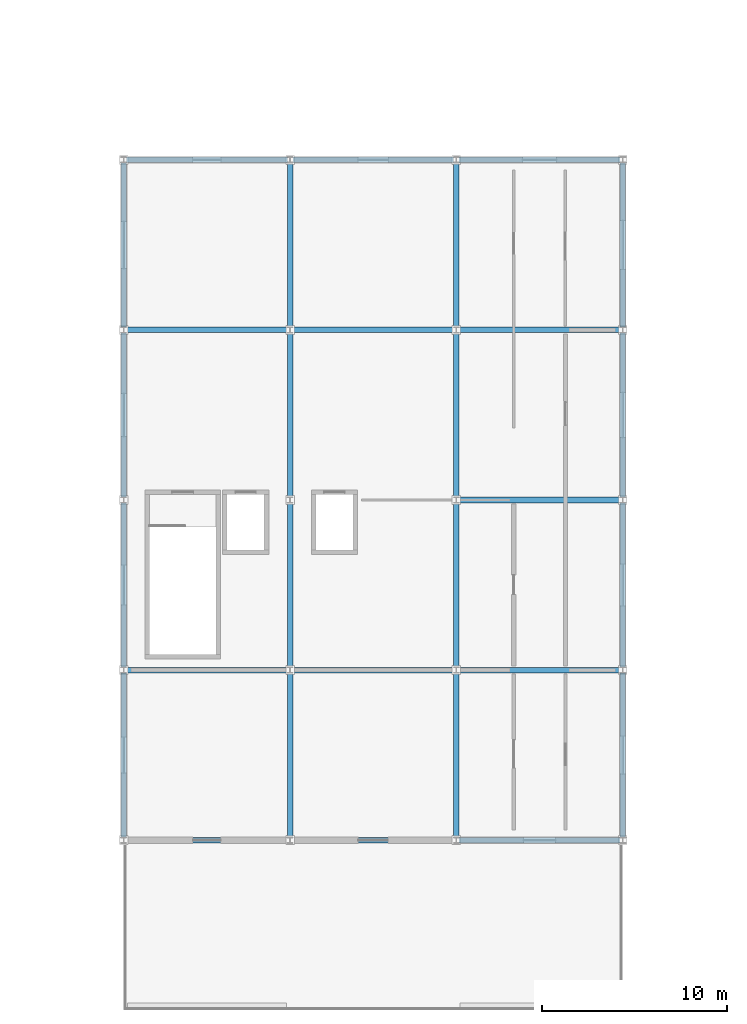
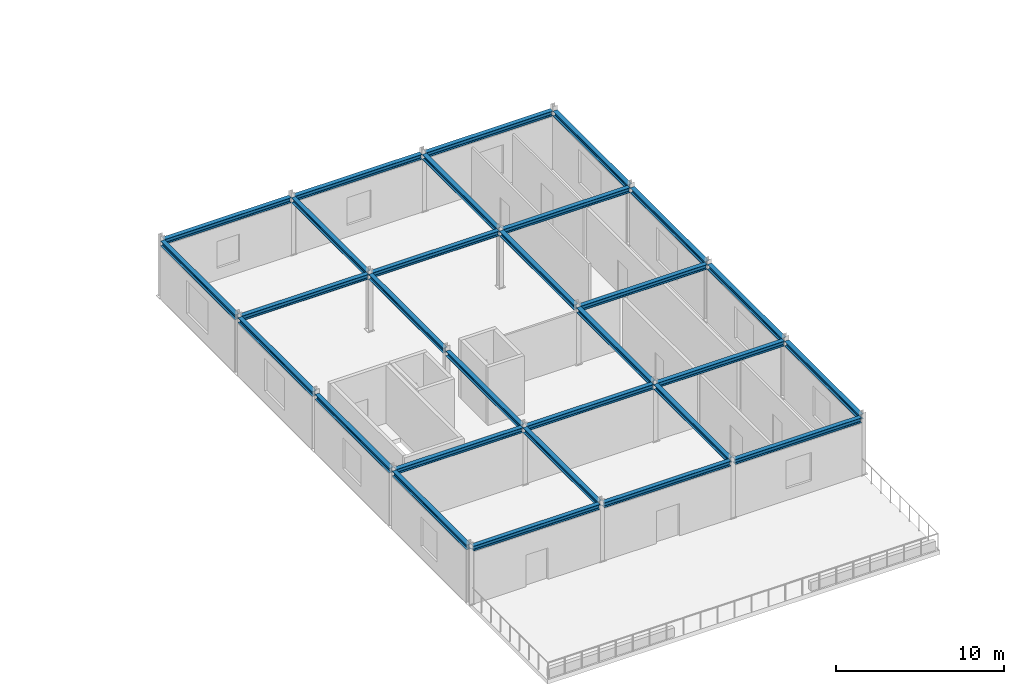
# One storey, part 10 of 33: 29 beams.
"""IFC4 building model written with IfcOpenShell, lengths in metres."""

from ifc_helpers import new_model, si_unit, direction, frame, origin, origin_2d, place, context, subcontext, project, spatial, i_section, extrude, material, material_profile, profile_set, type_object, element, save


model = new_model("IFC4")

# Units and contexts
model_context = context("Model", 3, precision=1e-05, world=origin(), true_north=direction((0.0, 1.0)))
body_context = subcontext(model_context, "Body", "Model", "MODEL_VIEW")
ifc_project = project(units=[si_unit("LENGTHUNIT", "METRE"), si_unit("AREAUNIT", "SQUARE_METRE"), si_unit("VOLUMEUNIT", "CUBIC_METRE"), si_unit("PLANEANGLEUNIT", "RADIAN"), si_unit("MASSUNIT", "GRAM", prefix="KILO")], contexts=[model_context])

# Site, building, storey
site_placement = place(None, origin())
site = spatial("IfcSite", under=ifc_project, at=site_placement, CompositionType="ELEMENT")
building_placement = place(site_placement, origin())
building = spatial("IfcBuilding", under=site, at=building_placement, Name="Bozkorgan Art Gallery", CompositionType="ELEMENT")
storey_placement = place(building_placement, frame((0.0, 0.0, 19.5)))
storey = spatial("IfcBuildingStorey", under=building, at=storey_placement, Name="L04", CompositionType="ELEMENT", Elevation=19.5)

# Beams
ifc_material = material(Name="Steel S355J2", Category="steel")
ifc_material_profile = material_profile(ifc_material, i_section(OverallWidth=0.300048828125, OverallDepth=0.360107421875, WebThickness=0.012451171875, FlangeThickness=0.0224609375, FilletRadius=0.027099609375, at=origin_2d()), Name="HEB 360")
ifc_profile_set = profile_set([ifc_material_profile], Name="Steel S355J2")
beam_type = type_object("IfcBeamType", Name="BEAM-BM-94", PredefinedType="BEAM", material=ifc_profile_set)
for number, where, z_axis, x_axis, name in (
    (1, (74.14990234375, 47.60009765625, 4.0), (1.0, 0.0, 0.0), (0.0, 1.0, 0.0), "V4 L04 beam X (74-83, 47.6)"),
    (2, (83.14990234375, 47.60009765625, 4.0), (1.0, 0.0, 0.0), (0.0, 1.0, 0.0), "V4 L04 beam X (83-92, 47.6)"),
    (3, (92.14990234375, 47.60009765625, 4.0), (1.0, 0.0, 0.0), (0.0, 1.0, 0.0), "V4 L04 beam X (92-101, 47.6)"),
    (4, (74.14990234375, 56.800048828125, 4.0), (1.0, 0.0, 0.0), (0.0, 1.0, 0.0), "V4 L04 beam X (74-83, 56.8)"),
    (5, (83.14990234375, 56.800048828125, 4.0), (1.0, 0.0, 0.0), (0.0, 1.0, 0.0), "V4 L04 beam X (83-92, 56.8)"),
    (6, (92.14990234375, 56.800048828125, 4.0), (1.0, 0.0, 0.0), (0.0, 1.0, 0.0), "V4 L04 beam X (92-101, 56.8)"),
    (7, (92.14990234375, 66.0, 4.0), (1.0, 0.0, 0.0), (0.0, 1.0, 0.0), "V4 L04 beam X (92-101, 66.0)"),
    (8, (74.14990234375, 75.199951171875, 4.0), (1.0, 0.0, 0.0), (0.0, 1.0, 0.0), "V4 L04 beam X (74-83, 75.2)"),
    (9, (83.14990234375, 75.199951171875, 4.0), (1.0, 0.0, 0.0), (0.0, 1.0, 0.0), "V4 L04 beam X (83-92, 75.2)"),
    (10, (92.14990234375, 75.199951171875, 4.0), (1.0, 0.0, 0.0), (0.0, 1.0, 0.0), "V4 L04 beam X (92-101, 75.2)"),
    (11, (74.14990234375, 84.39990234375, 4.0), (1.0, 0.0, 0.0), (0.0, 1.0, 0.0), "V4 L04 beam X (74-83, 84.4)"),
    (12, (83.14990234375, 84.39990234375, 4.0), (1.0, 0.0, 0.0), (0.0, 1.0, 0.0), "V4 L04 beam X (83-92, 84.4)"),
    (13, (92.14990234375, 84.39990234375, 4.0), (1.0, 0.0, 0.0), (0.0, 1.0, 0.0), "V4 L04 beam X (92-101, 84.4)"),
):
    element("IfcBeam", number, at=place(storey_placement, frame(where, z_axis=z_axis, x_axis=x_axis)), inside=storey, type_object=beam_type, Name=name, PredefinedType="BEAM", context=body_context, shape_type="SweptSolid", body=[
        extrude(i_section(OverallWidth=0.300048828125, OverallDepth=0.360107421875, WebThickness=0.012451171875, FlangeThickness=0.0224609375, FilletRadius=0.027099609375, at=origin_2d()), origin(), (0.0, 0.0, 1.0), 8.7001953125),
    ])
beam_1_placement = place(storey_placement, frame((74.0, 47.760009765625, 4.0), z_axis=(0.0, 1.0, 0.0), x_axis=(-1.0, 0.0, 0.0)))
element("IfcBeam", 14, at=beam_1_placement, inside=storey, type_object=beam_type, Name="V4 L04 beam Y (74, 47.6-56.8)", PredefinedType="BEAM", context=body_context, shape_type="SweptSolid", body=[
    extrude(i_section(OverallWidth=0.300048828125, OverallDepth=0.360107421875, WebThickness=0.012451171875, FlangeThickness=0.0224609375, FilletRadius=0.027099609375, at=origin_2d()), origin(), (0.0, 0.0, 1.0), 8.8798828125),
])
for number, where, z_axis, x_axis, name in (
    (15, (74.0, 56.9599609375, 4.0), (0.0, 1.0, 0.0), (-1.0, 0.0, 0.0), "V4 L04 beam Y (74, 56.8-66.0)"),
    (16, (74.0, 66.159912109375, 4.0), (0.0, 1.0, 0.0), (-1.0, 0.0, 0.0), "V4 L04 beam Y (74, 66.0-75.2)"),
):
    element("IfcBeam", number, at=place(storey_placement, frame(where, z_axis=z_axis, x_axis=x_axis)), inside=storey, type_object=beam_type, Name=name, PredefinedType="BEAM", context=body_context, shape_type="SweptSolid", body=[
        extrude(i_section(OverallWidth=0.300048828125, OverallDepth=0.360107421875, WebThickness=0.012451171875, FlangeThickness=0.0224609375, FilletRadius=0.027099609375, at=origin_2d()), origin(), (0.0, 0.0, 1.0), 8.880126953125),
    ])
beam_2_placement = place(storey_placement, frame((74.0, 75.360107421875, 4.0), z_axis=(0.0, 1.0, 0.0), x_axis=(-1.0, 0.0, 0.0)))
element("IfcBeam", 17, at=beam_2_placement, inside=storey, type_object=beam_type, Name="V4 L04 beam Y (74, 75.2-84.4)", PredefinedType="BEAM", context=body_context, shape_type="SweptSolid", body=[
    extrude(i_section(OverallWidth=0.300048828125, OverallDepth=0.360107421875, WebThickness=0.012451171875, FlangeThickness=0.0224609375, FilletRadius=0.027099609375, at=origin_2d()), origin(), (0.0, 0.0, 1.0), 8.8798828125),
])
beam_3_placement = place(storey_placement, frame((83.0, 47.760009765625, 4.0), z_axis=(0.0, 1.0, 0.0), x_axis=(-1.0, 0.0, 0.0)))
element("IfcBeam", 18, at=beam_3_placement, inside=storey, type_object=beam_type, Name="V4 L04 beam Y (83, 47.6-56.8)", PredefinedType="BEAM", context=body_context, shape_type="SweptSolid", body=[
    extrude(i_section(OverallWidth=0.300048828125, OverallDepth=0.360107421875, WebThickness=0.012451171875, FlangeThickness=0.0224609375, FilletRadius=0.027099609375, at=origin_2d()), origin(), (0.0, 0.0, 1.0), 8.885009765625),
])
for number, where, z_axis, x_axis, name in (
    (19, (83.0, 56.955078125, 4.0), (0.0, 1.0, 0.0), (-1.0, 0.0, 0.0), "V4 L04 beam Y (83, 56.8-66.0)"),
    (20, (83.0, 66.155029296875, 4.0), (0.0, 1.0, 0.0), (-1.0, 0.0, 0.0), "V4 L04 beam Y (83, 66.0-75.2)"),
):
    element("IfcBeam", number, at=place(storey_placement, frame(where, z_axis=z_axis, x_axis=x_axis)), inside=storey, type_object=beam_type, Name=name, PredefinedType="BEAM", context=body_context, shape_type="SweptSolid", body=[
        extrude(i_section(OverallWidth=0.300048828125, OverallDepth=0.360107421875, WebThickness=0.012451171875, FlangeThickness=0.0224609375, FilletRadius=0.027099609375, at=origin_2d()), origin(), (0.0, 0.0, 1.0), 8.889892578125),
    ])
for number, where, z_axis, x_axis, name in (
    (21, (83.0, 75.35498046875, 4.0), (0.0, 1.0, 0.0), (-1.0, 0.0, 0.0), "V4 L04 beam Y (83, 75.2-84.4)"),
    (22, (92.0, 47.760009765625, 4.0), (0.0, 1.0, 0.0), (-1.0, 0.0, 0.0), "V4 L04 beam Y (92, 47.6-56.8)"),
):
    element("IfcBeam", number, at=place(storey_placement, frame(where, z_axis=z_axis, x_axis=x_axis)), inside=storey, type_object=beam_type, Name=name, PredefinedType="BEAM", context=body_context, shape_type="SweptSolid", body=[
        extrude(i_section(OverallWidth=0.300048828125, OverallDepth=0.360107421875, WebThickness=0.012451171875, FlangeThickness=0.0224609375, FilletRadius=0.027099609375, at=origin_2d()), origin(), (0.0, 0.0, 1.0), 8.885009765625),
    ])
for number, where, z_axis, x_axis, name in (
    (23, (92.0, 56.955078125, 4.0), (0.0, 1.0, 0.0), (-1.0, 0.0, 0.0), "V4 L04 beam Y (92, 56.8-66.0)"),
    (24, (92.0, 66.155029296875, 4.0), (0.0, 1.0, 0.0), (-1.0, 0.0, 0.0), "V4 L04 beam Y (92, 66.0-75.2)"),
):
    element("IfcBeam", number, at=place(storey_placement, frame(where, z_axis=z_axis, x_axis=x_axis)), inside=storey, type_object=beam_type, Name=name, PredefinedType="BEAM", context=body_context, shape_type="SweptSolid", body=[
        extrude(i_section(OverallWidth=0.300048828125, OverallDepth=0.360107421875, WebThickness=0.012451171875, FlangeThickness=0.0224609375, FilletRadius=0.027099609375, at=origin_2d()), origin(), (0.0, 0.0, 1.0), 8.889892578125),
    ])
beam_4_placement = place(storey_placement, frame((92.0, 75.35498046875, 4.0), z_axis=(0.0, 1.0, 0.0), x_axis=(-1.0, 0.0, 0.0)))
element("IfcBeam", 25, at=beam_4_placement, inside=storey, type_object=beam_type, Name="V4 L04 beam Y (92, 75.2-84.4)", PredefinedType="BEAM", context=body_context, shape_type="SweptSolid", body=[
    extrude(i_section(OverallWidth=0.300048828125, OverallDepth=0.360107421875, WebThickness=0.012451171875, FlangeThickness=0.0224609375, FilletRadius=0.027099609375, at=origin_2d()), origin(), (0.0, 0.0, 1.0), 8.885009765625),
])
beam_5_placement = place(storey_placement, frame((101.0, 47.760009765625, 4.0), z_axis=(0.0, 1.0, 0.0), x_axis=(-1.0, 0.0, 0.0)))
element("IfcBeam", 26, at=beam_5_placement, inside=storey, type_object=beam_type, Name="V4 L04 beam Y (101, 47.6-56.8)", PredefinedType="BEAM", context=body_context, shape_type="SweptSolid", body=[
    extrude(i_section(OverallWidth=0.300048828125, OverallDepth=0.360107421875, WebThickness=0.012451171875, FlangeThickness=0.0224609375, FilletRadius=0.027099609375, at=origin_2d()), origin(), (0.0, 0.0, 1.0), 8.8798828125),
])
for number, where, z_axis, x_axis, name in (
    (27, (101.0, 56.9599609375, 4.0), (0.0, 1.0, 0.0), (-1.0, 0.0, 0.0), "V4 L04 beam Y (101, 56.8-66.0)"),
    (28, (101.0, 66.159912109375, 4.0), (0.0, 1.0, 0.0), (-1.0, 0.0, 0.0), "V4 L04 beam Y (101, 66.0-75.2)"),
):
    element("IfcBeam", number, at=place(storey_placement, frame(where, z_axis=z_axis, x_axis=x_axis)), inside=storey, type_object=beam_type, Name=name, PredefinedType="BEAM", context=body_context, shape_type="SweptSolid", body=[
        extrude(i_section(OverallWidth=0.300048828125, OverallDepth=0.360107421875, WebThickness=0.012451171875, FlangeThickness=0.0224609375, FilletRadius=0.027099609375, at=origin_2d()), origin(), (0.0, 0.0, 1.0), 8.880126953125),
    ])
beam_6_placement = place(storey_placement, frame((101.0, 75.360107421875, 4.0), z_axis=(0.0, 1.0, 0.0), x_axis=(-1.0, 0.0, 0.0)))
element("IfcBeam", 29, at=beam_6_placement, inside=storey, type_object=beam_type, Name="V4 L04 beam Y (101, 75.2-84.4)", PredefinedType="BEAM", context=body_context, shape_type="SweptSolid", body=[
    extrude(i_section(OverallWidth=0.300048828125, OverallDepth=0.360107421875, WebThickness=0.012451171875, FlangeThickness=0.0224609375, FilletRadius=0.027099609375, at=origin_2d()), origin(), (0.0, 0.0, 1.0), 8.8798828125),
])

save(model, "model.ifc")
